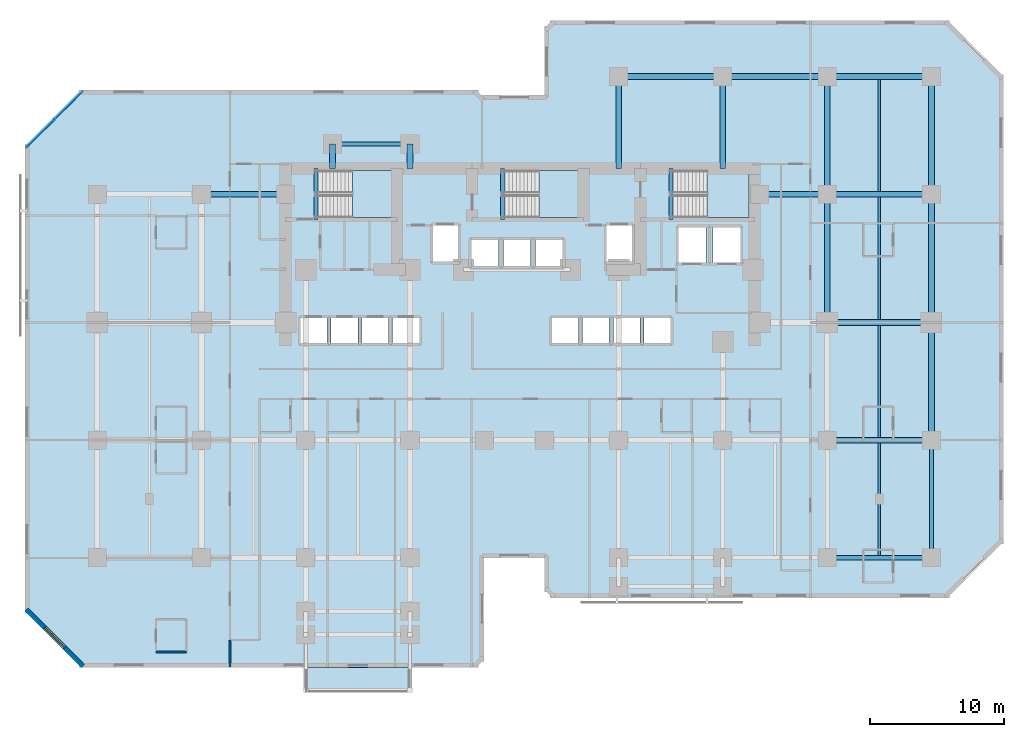
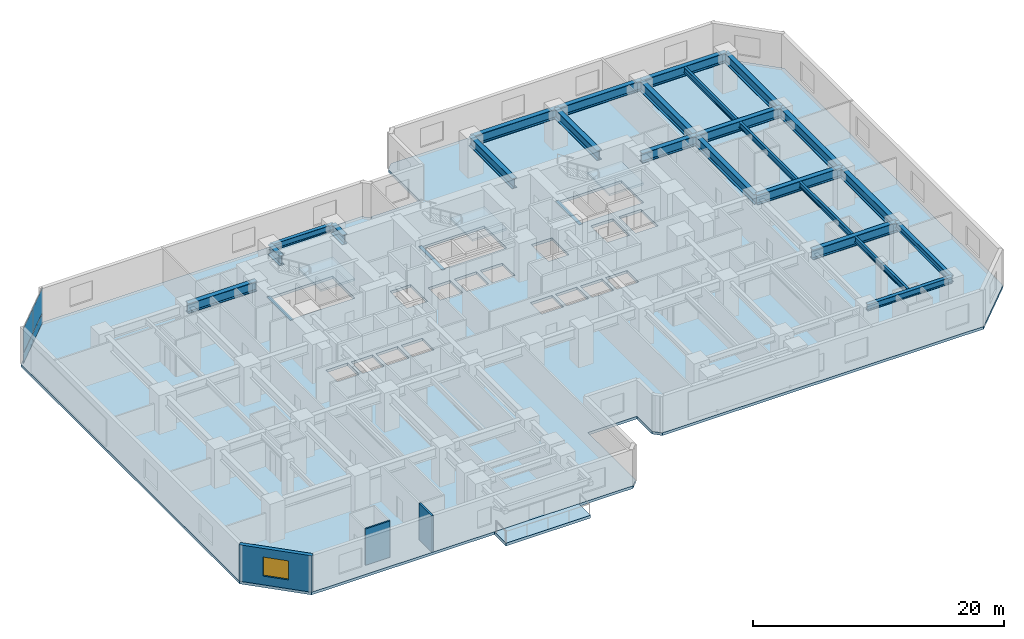
# One storey, part 4 of 12: 27 beams, 5 slabs, 4 plates, 3 walls, 1 window, 1 opening, 4 elements without a shape of their own.
"""IFC4 building model written with IfcOpenShell, lengths in metres."""

from ifc_helpers import new_model, si_unit, direction, frame, frame_2d, origin, origin_2d, place, context, subcontext, project, spatial, polyline, rectangle, i_section, outline, extrude, material, layer, layer_set, material_profile, profile_set, type_object, element, fill, aggregate, save


model = new_model("IFC4")

# Units and contexts
model_context = context("Model", 3, precision=1e-05, world=origin(), true_north=direction((0.0, 1.0)))
body_context = subcontext(model_context, "Body", "Model", "MODEL_VIEW")
ifc_project = project(units=[si_unit("LENGTHUNIT", "METRE"), si_unit("AREAUNIT", "SQUARE_METRE"), si_unit("VOLUMEUNIT", "CUBIC_METRE"), si_unit("PLANEANGLEUNIT", "RADIAN"), si_unit("MASSUNIT", "GRAM", prefix="KILO")], contexts=[model_context])

# Site, building, storey
site_placement = place(None, origin())
site = spatial("IfcSite", under=ifc_project, at=site_placement, CompositionType="ELEMENT")
building_placement = place(site_placement, origin())
building = spatial("IfcBuilding", under=site, at=building_placement, Name="Kestravale Grand Hotel", CompositionType="ELEMENT")
storey_placement = place(building_placement, frame((0.0, 0.0, 56.39990234375)))
storey = spatial("IfcBuildingStorey", under=building, at=storey_placement, Name="L13", CompositionType="ELEMENT", Elevation=56.39990234375)

# Beams
ifc_material_1 = material(Name="Steel ASTM A992 Grade 50", Category="steel")
ifc_material_profile_1 = material_profile(ifc_material_1, i_section(OverallWidth=0.2099609375, OverallDepth=0.535888671875, WebThickness=0.010986328125, FlangeThickness=0.017333984375, FilletRadius=0.017578125, at=origin_2d()))
ifc_profile_set_1 = profile_set([ifc_material_profile_1], Name="Steel ASTM A992 Grade 50")
beam_type_1 = type_object("IfcBeamType", Name="B-FLR-JST21", PredefinedType="JOIST", material=ifc_profile_set_1)
beam_1_placement = place(storey_placement, frame((66.300048828125, 11.362548828125, 3.272216796875), z_axis=(0.0, 1.0, 0.0), x_axis=(-1.0, 0.0, 0.0)))
element("IfcBeam", 1, at=beam_1_placement, inside=storey, type_object=beam_type_1, Name="L13 floor joist 10-11/C-D #1", PredefinedType="JOIST", context=body_context, shape_type="SweptSolid", body=[
    extrude(i_section(OverallWidth=0.2099609375, OverallDepth=0.535888671875, WebThickness=0.010986328125, FlangeThickness=0.017333984375, FilletRadius=0.017578125, at=origin_2d()), origin(), (0.0, 0.0, 1.0), 8.425537109375),
])
beam_2_placement = place(storey_placement, frame((66.300048828125, 20.2119140625, 3.272216796875), z_axis=(0.0, 1.0, 0.0), x_axis=(-1.0, 0.0, 0.0)))
element("IfcBeam", 2, at=beam_2_placement, inside=storey, type_object=beam_type_1, Name="L13 floor joist 10-11/D-E #1", PredefinedType="JOIST", context=body_context, shape_type="SweptSolid", body=[
    extrude(i_section(OverallWidth=0.2099609375, OverallDepth=0.535888671875, WebThickness=0.010986328125, FlangeThickness=0.017333984375, FilletRadius=0.017578125, at=origin_2d()), origin(), (0.0, 0.0, 1.0), 8.3759765625),
])
beam_3_placement = place(storey_placement, frame((66.300048828125, 29.011962890625, 3.272216796875), z_axis=(0.0, 1.0, 0.0), x_axis=(-1.0, 0.0, 0.0)))
element("IfcBeam", 3, at=beam_3_placement, inside=storey, type_object=beam_type_1, Name="L13 floor joist 10-11/E-F #1", PredefinedType="JOIST", context=body_context, shape_type="SweptSolid", body=[
    extrude(i_section(OverallWidth=0.2099609375, OverallDepth=0.535888671875, WebThickness=0.010986328125, FlangeThickness=0.017333984375, FilletRadius=0.017578125, at=origin_2d()), origin(), (0.0, 0.0, 1.0), 9.176025390625),
])
beam_4_placement = place(storey_placement, frame((66.300048828125, 38.612060546875, 3.272216796875), z_axis=(0.0, 1.0, 0.0), x_axis=(-1.0, 0.0, 0.0)))
element("IfcBeam", 4, at=beam_4_placement, inside=storey, type_object=beam_type_1, Name="L13 floor joist 10-11/F-G #1", PredefinedType="JOIST", context=body_context, shape_type="SweptSolid", body=[
    extrude(i_section(OverallWidth=0.2099609375, OverallDepth=0.535888671875, WebThickness=0.010986328125, FlangeThickness=0.017333984375, FilletRadius=0.017578125, at=origin_2d()), origin(), (0.0, 0.0, 1.0), 8.3759765625),
])
ifc_material_2 = material(Name="Concrete f'c 45 MPa", Category="concrete")
ifc_material_profile_2 = material_profile(ifc_material_2, rectangle(XDim=0.300048828125, YDim=0.39990234375, at=origin_2d()))
ifc_profile_set_2 = profile_set([ifc_material_profile_2], Name="Concrete f'c 45 MPa")
beam_type_2 = type_object("IfcBeamType", Name="B-FLR-LNT400", PredefinedType="LINTEL", material=ifc_profile_set_2)
for number, where, z_axis, x_axis, name in (
    (5, (24.159912109375, 36.52001953125, -0.199951171875), (0.0, 1.0, 0.0), (-1.0, 0.0, 0.0), "L13 ST1 flight bottom header beam"),
    (6, (38.110107421875, 36.52001953125, -0.199951171875), (0.0, 1.0, 0.0), (-1.0, 0.0, 0.0), "L13 ST2 flight bottom header beam"),
    (7, (50.7099609375, 36.52001953125, -0.199951171875), (0.0, 1.0, 0.0), (-1.0, 0.0, 0.0), "L13 ST3 flight bottom header beam"),
):
    element("IfcBeam", number, at=place(storey_placement, frame(where, z_axis=z_axis, x_axis=x_axis)), inside=storey, type_object=beam_type_2, Name=name, PredefinedType="LINTEL", context=body_context, shape_type="SweptSolid", body=[
        extrude(rectangle(XDim=0.300048828125, YDim=0.39990234375, at=origin_2d()), origin(), (0.0, 0.0, 1.0), 3.800048828125),
    ])
ifc_material_3 = material(Name="Steel ASTM A992 Grade 50", Category="steel")
ifc_material_profile_3 = material_profile(ifc_material_3, i_section(OverallWidth=0.324951171875, OverallDepth=0.612060546875, WebThickness=0.0126953125, FlangeThickness=0.01904296875, FilletRadius=0.018798828125, at=origin_2d()))
ifc_profile_set_3 = profile_set([ifc_material_profile_3], Name="Steel ASTM A992 Grade 50")
beam_type_3 = type_object("IfcBeamType", Name="B-FLR-W24A", PredefinedType="SPANDREL", material=ifc_profile_set_3)
beam_5_placement = place(storey_placement, frame((62.39990234375, 11.199951171875, 3.234130859375), z_axis=(1.0, 0.0, 0.0), x_axis=(0.0, 1.0, 0.0)))
element("IfcBeam", 8, at=beam_5_placement, inside=storey, type_object=beam_type_3, Name="L13 spandrel C:10-11", PredefinedType="SPANDREL", context=body_context, shape_type="SweptSolid", body=[
    extrude(i_section(OverallWidth=0.324951171875, OverallDepth=0.612060546875, WebThickness=0.0126953125, FlangeThickness=0.01904296875, FilletRadius=0.018798828125, at=origin_2d()), origin(), (0.0, 0.0, 1.0), 7.800048828125),
])
beam_6_placement = place(storey_placement, frame((25.39990234375, 42.14990234375, 3.234130859375), z_axis=(1.0, 0.0, 0.0), x_axis=(0.0, 1.0, 0.0)))
element("IfcBeam", 9, at=beam_6_placement, inside=storey, type_object=beam_type_3, Name="L13 perimeter tie spandrel FN:4-5", PredefinedType="SPANDREL", context=body_context, shape_type="SweptSolid", body=[
    extrude(i_section(OverallWidth=0.324951171875, OverallDepth=0.612060546875, WebThickness=0.0126953125, FlangeThickness=0.01904296875, FilletRadius=0.018798828125, at=origin_2d()), origin(), (0.0, 0.0, 1.0), 5.800048828125),
])
beam_7_placement = place(storey_placement, frame((70.199951171875, 11.199951171875, 3.234130859375), z_axis=(0.0, 1.0, 0.0), x_axis=(-1.0, 0.0, 0.0)))
element("IfcBeam", 10, at=beam_7_placement, inside=storey, type_object=beam_type_3, Name="L13 spandrel 11:C-D", PredefinedType="SPANDREL", context=body_context, shape_type="SweptSolid", body=[
    extrude(i_section(OverallWidth=0.324951171875, OverallDepth=0.612060546875, WebThickness=0.0126953125, FlangeThickness=0.01904296875, FilletRadius=0.018798828125, at=origin_2d()), origin(), (0.0, 0.0, 1.0), 8.800048828125),
])
ifc_material_4 = material(Name="Steel ASTM A992 Grade 50", Category="steel")
ifc_material_profile_4 = material_profile(ifc_material_4, i_section(OverallWidth=0.424072265625, OverallDepth=0.947021484375, WebThickness=0.02392578125, FlangeThickness=0.042724609375, FilletRadius=0.0283203125, at=origin_2d()))
ifc_profile_set_4 = profile_set([ifc_material_profile_4], Name="Steel ASTM A992 Grade 50")
beam_type_4 = type_object("IfcBeamType", Name="B-GRD-W36", PredefinedType="BEAM", material=ifc_profile_set_4)
for number, where, z_axis, x_axis, name in (
    (11, (62.39990234375, 20.0, 3.066650390625), (1.0, 0.0, 0.0), (0.0, 1.0, 0.0), "L13 girder D:10-11"),
    (12, (62.39990234375, 28.800048828125, 3.066650390625), (1.0, 0.0, 0.0), (0.0, 1.0, 0.0), "L13 girder E:10-11"),
):
    element("IfcBeam", number, at=place(storey_placement, frame(where, z_axis=z_axis, x_axis=x_axis)), inside=storey, type_object=beam_type_4, Name=name, PredefinedType="BEAM", context=body_context, shape_type="SweptSolid", body=[
        extrude(i_section(OverallWidth=0.424072265625, OverallDepth=0.947021484375, WebThickness=0.02392578125, FlangeThickness=0.042724609375, FilletRadius=0.0283203125, at=origin_2d()), origin(), (0.0, 0.0, 1.0), 7.800048828125),
    ])
beam_8_placement = place(storey_placement, frame((15.60009765625, 38.39990234375, 3.066650390625), z_axis=(1.0, 0.0, 0.0), x_axis=(0.0, 1.0, 0.0)))
element("IfcBeam", 13, at=beam_8_placement, inside=storey, type_object=beam_type_4, Name="L13 girder F:3-CW", PredefinedType="BEAM", context=body_context, shape_type="SweptSolid", body=[
    extrude(i_section(OverallWidth=0.424072265625, OverallDepth=0.947021484375, WebThickness=0.02392578125, FlangeThickness=0.042724609375, FilletRadius=0.0283203125, at=origin_2d()), origin(), (0.0, 0.0, 1.0), 6.2998046875),
])
beam_9_placement = place(storey_placement, frame((57.35009765625, 38.39990234375, 3.066650390625), z_axis=(1.0, 0.0, 0.0), x_axis=(0.0, 1.0, 0.0)))
element("IfcBeam", 14, at=beam_9_placement, inside=storey, type_object=beam_type_4, Name="L13 girder F:CE-10", PredefinedType="BEAM", context=body_context, shape_type="SweptSolid", body=[
    extrude(i_section(OverallWidth=0.424072265625, OverallDepth=0.947021484375, WebThickness=0.02392578125, FlangeThickness=0.042724609375, FilletRadius=0.0283203125, at=origin_2d()), origin(), (0.0, 0.0, 1.0), 5.0498046875),
])
for number, where, z_axis, x_axis, name in (
    (15, (62.39990234375, 38.39990234375, 3.066650390625), (1.0, 0.0, 0.0), (0.0, 1.0, 0.0), "L13 girder F:10-11"),
    (16, (46.800048828125, 47.199951171875, 3.066650390625), (1.0, 0.0, 0.0), (0.0, 1.0, 0.0), "L13 girder G:8-9"),
):
    element("IfcBeam", number, at=place(storey_placement, frame(where, z_axis=z_axis, x_axis=x_axis)), inside=storey, type_object=beam_type_4, Name=name, PredefinedType="BEAM", context=body_context, shape_type="SweptSolid", body=[
        extrude(i_section(OverallWidth=0.424072265625, OverallDepth=0.947021484375, WebThickness=0.02392578125, FlangeThickness=0.042724609375, FilletRadius=0.0283203125, at=origin_2d()), origin(), (0.0, 0.0, 1.0), 7.800048828125),
    ])
beam_10_placement = place(storey_placement, frame((54.60009765625, 47.199951171875, 3.066650390625), z_axis=(1.0, 0.0, 0.0), x_axis=(0.0, 1.0, 0.0)))
element("IfcBeam", 17, at=beam_10_placement, inside=storey, type_object=beam_type_4, Name="L13 girder G:9-10", PredefinedType="BEAM", context=body_context, shape_type="SweptSolid", body=[
    extrude(i_section(OverallWidth=0.424072265625, OverallDepth=0.947021484375, WebThickness=0.02392578125, FlangeThickness=0.042724609375, FilletRadius=0.0283203125, at=origin_2d()), origin(), (0.0, 0.0, 1.0), 7.7998046875),
])
beam_11_placement = place(storey_placement, frame((62.39990234375, 47.199951171875, 3.066650390625), z_axis=(1.0, 0.0, 0.0), x_axis=(0.0, 1.0, 0.0)))
element("IfcBeam", 18, at=beam_11_placement, inside=storey, type_object=beam_type_4, Name="L13 girder G:10-11", PredefinedType="BEAM", context=body_context, shape_type="SweptSolid", body=[
    extrude(i_section(OverallWidth=0.424072265625, OverallDepth=0.947021484375, WebThickness=0.02392578125, FlangeThickness=0.042724609375, FilletRadius=0.0283203125, at=origin_2d()), origin(), (0.0, 0.0, 1.0), 7.800048828125),
])
beam_12_placement = place(storey_placement, frame((62.39990234375, 28.800048828125, 3.066650390625), z_axis=(0.0, 1.0, 0.0), x_axis=(-1.0, 0.0, 0.0)))
element("IfcBeam", 19, at=beam_12_placement, inside=storey, type_object=beam_type_4, Name="L13 girder 10:E-F", PredefinedType="BEAM", context=body_context, shape_type="SweptSolid", body=[
    extrude(i_section(OverallWidth=0.424072265625, OverallDepth=0.947021484375, WebThickness=0.02392578125, FlangeThickness=0.042724609375, FilletRadius=0.0283203125, at=origin_2d()), origin(), (0.0, 0.0, 1.0), 9.599853515625),
])
for number, where, z_axis, x_axis, name in (
    (20, (62.39990234375, 38.39990234375, 3.066650390625), (0.0, 1.0, 0.0), (-1.0, 0.0, 0.0), "L13 girder 10:F-G"),
    (21, (70.199951171875, 20.0, 3.066650390625), (0.0, 1.0, 0.0), (-1.0, 0.0, 0.0), "L13 girder 11:D-E"),
):
    element("IfcBeam", number, at=place(storey_placement, frame(where, z_axis=z_axis, x_axis=x_axis)), inside=storey, type_object=beam_type_4, Name=name, PredefinedType="BEAM", context=body_context, shape_type="SweptSolid", body=[
        extrude(i_section(OverallWidth=0.424072265625, OverallDepth=0.947021484375, WebThickness=0.02392578125, FlangeThickness=0.042724609375, FilletRadius=0.0283203125, at=origin_2d()), origin(), (0.0, 0.0, 1.0), 8.800048828125),
    ])
beam_13_placement = place(storey_placement, frame((70.199951171875, 28.800048828125, 3.066650390625), z_axis=(0.0, 1.0, 0.0), x_axis=(-1.0, 0.0, 0.0)))
element("IfcBeam", 22, at=beam_13_placement, inside=storey, type_object=beam_type_4, Name="L13 girder 11:E-F", PredefinedType="BEAM", context=body_context, shape_type="SweptSolid", body=[
    extrude(i_section(OverallWidth=0.424072265625, OverallDepth=0.947021484375, WebThickness=0.02392578125, FlangeThickness=0.042724609375, FilletRadius=0.0283203125, at=origin_2d()), origin(), (0.0, 0.0, 1.0), 9.599853515625),
])
beam_14_placement = place(storey_placement, frame((70.199951171875, 38.39990234375, 3.066650390625), z_axis=(0.0, 1.0, 0.0), x_axis=(-1.0, 0.0, 0.0)))
element("IfcBeam", 23, at=beam_14_placement, inside=storey, type_object=beam_type_4, Name="L13 girder 11:F-G", PredefinedType="BEAM", context=body_context, shape_type="SweptSolid", body=[
    extrude(i_section(OverallWidth=0.424072265625, OverallDepth=0.947021484375, WebThickness=0.02392578125, FlangeThickness=0.042724609375, FilletRadius=0.0283203125, at=origin_2d()), origin(), (0.0, 0.0, 1.0), 8.800048828125),
])
for number, where, z_axis, x_axis, name in (
    (24, (25.39990234375, 40.320068359375, 3.066650390625), (0.0, 1.0, 0.0), (-1.0, 0.0, 0.0), "L13 north wing tie girder 4:CN-FN"),
    (25, (31.199951171875, 40.320068359375, 3.066650390625), (0.0, 1.0, 0.0), (-1.0, 0.0, 0.0), "L13 north wing tie girder 5:CN-FN"),
):
    element("IfcBeam", number, at=place(storey_placement, frame(where, z_axis=z_axis, x_axis=x_axis)), inside=storey, type_object=beam_type_4, Name=name, PredefinedType="BEAM", context=body_context, shape_type="SweptSolid", body=[
        extrude(i_section(OverallWidth=0.424072265625, OverallDepth=0.947021484375, WebThickness=0.02392578125, FlangeThickness=0.042724609375, FilletRadius=0.0283203125, at=origin_2d()), origin(), (0.0, 0.0, 1.0), 1.829833984375),
    ])
for number, where, z_axis, x_axis, name in (
    (26, (46.800048828125, 40.320068359375, 3.066650390625), (0.0, 1.0, 0.0), (-1.0, 0.0, 0.0), "L13 north wing tie girder 8:CN-G"),
    (27, (54.60009765625, 40.320068359375, 3.066650390625), (0.0, 1.0, 0.0), (-1.0, 0.0, 0.0), "L13 north wing tie girder 9:CN-G"),
):
    element("IfcBeam", number, at=place(storey_placement, frame(where, z_axis=z_axis, x_axis=x_axis)), inside=storey, type_object=beam_type_4, Name=name, PredefinedType="BEAM", context=body_context, shape_type="SweptSolid", body=[
        extrude(i_section(OverallWidth=0.424072265625, OverallDepth=0.947021484375, WebThickness=0.02392578125, FlangeThickness=0.042724609375, FilletRadius=0.0283203125, at=origin_2d()), origin(), (0.0, 0.0, 1.0), 6.8798828125),
    ])

# Curtain wall, plates
ifc_material_5 = material(Name="Thermally broken champagne-bronze aluminium and low-E glazing", Category="aluminium")
ifc_layer_1 = layer(ifc_material_5, 0.199951171875)
ifc_layer_set_1 = layer_set([ifc_layer_1], Name="CW-Z1")
curtain_wall_type = type_object("IfcCurtainWallType", Name="CW-Z1", PredefinedType="NOTDEFINED", material=ifc_layer_set_1)
curtain_wall_placement = place(storey_placement, origin())
curtain_wall = element("IfcCurtainWall", 28, at=curtain_wall_placement, inside=storey, type_object=curtain_wall_type, Name="L13 unitised curtain wall 18", PredefinedType="NOTDEFINED")
ifc_material_6 = material(Name="Insulated clear low-E double glazing IGU", Category="glass")
ifc_layer_2 = layer(ifc_material_6, 0.035888671875)
ifc_layer_set_2 = layer_set([ifc_layer_2], Name="CW-PNL-36")
plate_type = type_object("IfcPlateType", Name="CW-PNL-36", PredefinedType="CURTAIN_PANEL", material=ifc_layer_set_2)
plate_1_placement = place(storey_placement, frame((5.6640625, 45.023681640625, 0.0751953125), z_axis=(0.0, 0.0, 1.0), x_axis=(-0.707106781187, -0.707106781187, 0.0)))
plate_1 = element("IfcPlate", 29, at=plate_1_placement, type_object=plate_type, Name="CW-Z1 panel 1.1", PredefinedType="CURTAIN_PANEL", context=body_context, shape_type="SweptSolid", body=[
    extrude(rectangle(XDim=2.87744140625, YDim=0.035888671875, at=origin_2d()), origin(), (0.0, 0.0, 1.0), 0.9375),
])
plate_2_placement = place(storey_placement, frame((5.6640625, 45.023681640625, 1.087646484375), z_axis=(0.0, 0.0, 1.0), x_axis=(-0.707106781187, -0.707106781187, 0.0)))
plate_2 = element("IfcPlate", 30, at=plate_2_placement, type_object=plate_type, Name="CW-Z1 panel 1.2", PredefinedType="CURTAIN_PANEL", context=body_context, shape_type="SweptSolid", body=[
    extrude(rectangle(XDim=2.87744140625, YDim=0.035888671875, at=origin_2d()), origin(), (0.0, 0.0, 1.0), 2.37744140625),
])
plate_3_placement = place(storey_placement, frame((3.576416015625, 42.93603515625, 0.0751953125), z_axis=(0.0, 0.0, 1.0), x_axis=(-0.707106781187, -0.707106781187, 0.0)))
plate_3 = element("IfcPlate", 31, at=plate_3_placement, type_object=plate_type, Name="CW-Z1 panel 2.1", PredefinedType="CURTAIN_PANEL", context=body_context, shape_type="SweptSolid", body=[
    extrude(rectangle(XDim=2.87744140625, YDim=0.035888671875, at=origin_2d()), origin(), (0.0, 0.0, 1.0), 0.9375),
])
plate_4_placement = place(storey_placement, frame((3.576416015625, 42.93603515625, 1.087646484375), z_axis=(0.0, 0.0, 1.0), x_axis=(-0.707106781187, -0.707106781187, 0.0)))
plate_4 = element("IfcPlate", 32, at=plate_4_placement, type_object=plate_type, Name="CW-Z1 panel 2.2", PredefinedType="CURTAIN_PANEL", context=body_context, shape_type="SweptSolid", body=[
    extrude(rectangle(XDim=2.87744140625, YDim=0.035888671875, at=origin_2d()), origin(), (0.0, 0.0, 1.0), 2.37744140625),
])
aggregate(curtain_wall, [plate_1, plate_2, plate_3, plate_4])

# Slab
ifc_material_7 = material(Name="Concrete f'c 45 MPa", Category="concrete")
ifc_layer_3 = layer(ifc_material_7, 0.27001953125)
ifc_layer_set_3 = layer_set([ifc_layer_3], Name="ES-TERR-270")
slab_type_1 = type_object("IfcSlabType", Name="ES-TERR-270", PredefinedType="FLOOR", material=ifc_layer_set_3)
slab_1_placement = place(storey_placement, frame((0.0, 0.0, -0.27001953125)))
element("IfcSlab", 33, at=slab_1_placement, inside=storey, type_object=slab_type_1, Name="L13 spiralling planted garden terrace", PredefinedType="FLOOR", context=body_context, shape_type="SweptSolid", body=[
    extrude(outline(polyline([(23.39990234375, 1.14990234375), (31.199951171875, 1.14990234375), (31.199951171875, 3.0), (23.39990234375, 3.0), (23.39990234375, 1.14990234375)])), origin(), (0.0, 0.0, 1.0), 0.27001953125),
])

# Stair, slab
ifc_material_8 = material(Name="Concrete f'c 45 MPa", Category="concrete")
stair_type = type_object("IfcStairType", Name="ST-CORE-380", PredefinedType="HALF_TURN_STAIR", material=ifc_material_8)
stair_1_placement = place(storey_placement, origin())
stair_1 = element("IfcStair", 34, at=stair_1_placement, inside=storey, type_object=stair_type, Name="L13 ST-1", PredefinedType="HALF_TURN_STAIR")
ifc_material_9 = material(Name="Concrete f'c 45 MPa", Category="concrete")
ifc_layer_4 = layer(ifc_material_9, 0.199951171875)
ifc_layer_set_4 = layer_set([ifc_layer_4], Name="SLB-ST-LND200")
slab_type_2 = type_object("IfcSlabType", Name="SLB-ST-LND200", PredefinedType="LANDING", material=ifc_layer_set_4)
slab_2_placement = place(storey_placement, frame((0.0, 0.0, 1.7001953125)))
slab_2 = element("IfcSlab", 35, at=slab_2_placement, type_object=slab_type_2, Name="ST-1 landing 1", PredefinedType="LANDING", context=body_context, shape_type="SweptSolid", body=[
    extrude(outline(polyline([(26.8798828125, 36.64990234375), (30.0, 36.64990234375), (30.0, 40.159912109375), (26.8798828125, 40.159912109375), (26.8798828125, 36.64990234375)])), origin(), (0.0, 0.0, 1.0), 0.199951171875),
])
aggregate(stair_1, [slab_2])

stair_2_placement = place(storey_placement, origin())
stair_2 = element("IfcStair", 36, at=stair_2_placement, inside=storey, type_object=stair_type, Name="L13 ST-2", PredefinedType="HALF_TURN_STAIR")
slab_3_placement = place(storey_placement, frame((0.0, 0.0, 1.7001953125)))
slab_3 = element("IfcSlab", 37, at=slab_3_placement, type_object=slab_type_2, Name="ST-2 landing 1", PredefinedType="LANDING", context=body_context, shape_type="SweptSolid", body=[
    extrude(outline(polyline([(40.830078125, 36.64990234375), (43.949951171875, 36.64990234375), (43.949951171875, 40.159912109375), (40.830078125, 40.159912109375), (40.830078125, 36.64990234375)])), origin(), (0.0, 0.0, 1.0), 0.199951171875),
])
aggregate(stair_2, [slab_3])

stair_3_placement = place(storey_placement, origin())
stair_3 = element("IfcStair", 38, at=stair_3_placement, inside=storey, type_object=stair_type, Name="L13 ST-3", PredefinedType="HALF_TURN_STAIR")
slab_4_placement = place(storey_placement, frame((0.0, 0.0, 1.7001953125)))
slab_4 = element("IfcSlab", 39, at=slab_4_placement, type_object=slab_type_2, Name="ST-3 landing 1", PredefinedType="LANDING", context=body_context, shape_type="SweptSolid", body=[
    extrude(outline(polyline([(53.429931640625, 36.64990234375), (56.550048828125, 36.64990234375), (56.550048828125, 40.159912109375), (53.429931640625, 40.159912109375), (53.429931640625, 36.64990234375)])), origin(), (0.0, 0.0, 1.0), 0.199951171875),
])
aggregate(stair_3, [slab_4])

# Slab
ifc_material_10 = material(Name="Concrete f'c 45 MPa", Category="concrete")
ifc_layer_5 = layer(ifc_material_10, 0.260009765625)
ifc_layer_set_5 = layer_set([ifc_layer_5], Name="SS-FLR-260")
slab_type_3 = type_object("IfcSlabType", Name="SS-FLR-260", PredefinedType="FLOOR", material=ifc_layer_set_5)
slab_5_placement = place(storey_placement, frame((0.0, 0.0, -0.260009765625)))
element("IfcSlab", 40, at=slab_5_placement, inside=storey, type_object=slab_type_3, Name="L13 structural floor slab", PredefinedType="FLOOR", context=body_context, shape_type="SweptSolid", body=[
    extrude(outline(polyline([(6.60009765625, 3.0), (36.14990234375, 3.0), (36.75, 3.60009765625), (36.75, 11.199951171875), (41.25, 11.199951171875), (41.25, 8.800048828125), (41.85009765625, 8.199951171875), (71.39990234375, 8.199951171875), (75.60009765625, 12.39990234375), (75.60009765625, 47.199951171875), (71.39990234375, 51.39990234375), (41.85009765625, 51.39990234375), (41.25, 50.800048828125), (41.25, 45.800048828125), (36.75, 45.800048828125), (36.75, 45.60009765625), (36.14990234375, 46.199951171875), (6.60009765625, 46.199951171875), (2.39990234375, 42.0), (2.39990234375, 7.199951171875), (6.60009765625, 3.0)]), holes=[polyline([(24.080078125, 36.64990234375), (30.0, 36.64990234375), (30.0, 40.159912109375), (24.080078125, 40.159912109375), (24.080078125, 36.64990234375)]), polyline([(38.030029296875, 36.64990234375), (43.949951171875, 36.64990234375), (43.949951171875, 40.159912109375), (38.030029296875, 40.159912109375), (38.030029296875, 36.64990234375)]), polyline([(50.6298828125, 36.64990234375), (56.550048828125, 36.64990234375), (56.550048828125, 40.159912109375), (50.6298828125, 40.159912109375), (50.6298828125, 36.64990234375)]), polyline([(23.0048828125, 27.280029296875), (24.9951171875, 27.280029296875), (24.9951171875, 29.1201171875), (23.0048828125, 29.1201171875), (23.0048828125, 27.280029296875)]), polyline([(25.304931640625, 27.280029296875), (27.294921875, 27.280029296875), (27.294921875, 29.1201171875), (25.304931640625, 29.1201171875), (25.304931640625, 27.280029296875)]), polyline([(27.60498046875, 27.280029296875), (29.594970703125, 27.280029296875), (29.594970703125, 29.1201171875), (27.60498046875, 29.1201171875), (27.60498046875, 27.280029296875)]), polyline([(29.905029296875, 27.280029296875), (31.89501953125, 27.280029296875), (31.89501953125, 29.1201171875), (29.905029296875, 29.1201171875), (29.905029296875, 27.280029296875)]), polyline([(41.804931640625, 27.280029296875), (43.794921875, 27.280029296875), (43.794921875, 29.1201171875), (41.804931640625, 29.1201171875), (41.804931640625, 27.280029296875)]), polyline([(44.10498046875, 27.280029296875), (46.094970703125, 27.280029296875), (46.094970703125, 29.1201171875), (44.10498046875, 29.1201171875), (44.10498046875, 27.280029296875)]), polyline([(46.405029296875, 27.280029296875), (48.39501953125, 27.280029296875), (48.39501953125, 29.1201171875), (46.405029296875, 29.1201171875), (46.405029296875, 27.280029296875)]), polyline([(48.705078125, 27.280029296875), (50.695068359375, 27.280029296875), (50.695068359375, 29.1201171875), (48.705078125, 29.1201171875), (48.705078125, 27.280029296875)]), polyline([(35.780029296875, 33.030029296875), (37.820068359375, 33.030029296875), (37.820068359375, 34.969970703125), (35.780029296875, 34.969970703125), (35.780029296875, 33.030029296875)]), polyline([(38.179931640625, 33.030029296875), (40.219970703125, 33.030029296875), (40.219970703125, 34.969970703125), (38.179931640625, 34.969970703125), (38.179931640625, 33.030029296875)]), polyline([(40.580078125, 33.030029296875), (42.6201171875, 33.030029296875), (42.6201171875, 34.969970703125), (40.580078125, 34.969970703125), (40.580078125, 33.030029296875)]), polyline([(32.905029296875, 33.35498046875), (34.794921875, 33.35498046875), (34.794921875, 36.044921875), (32.905029296875, 36.044921875), (32.905029296875, 33.35498046875)]), polyline([(45.905029296875, 33.35498046875), (47.794921875, 33.35498046875), (47.794921875, 36.044921875), (45.905029296875, 36.044921875), (45.905029296875, 33.35498046875)]), polyline([(51.280029296875, 33.280029296875), (53.320068359375, 33.280029296875), (53.320068359375, 35.919921875), (51.280029296875, 35.919921875), (51.280029296875, 33.280029296875)]), polyline([(53.8798828125, 33.280029296875), (55.919921875, 33.280029296875), (55.919921875, 35.919921875), (53.8798828125, 35.919921875), (53.8798828125, 33.280029296875)])]), origin(), (0.0, 0.0, 1.0), 0.260009765625),
])

# Wall, opening, window
ifc_material_11 = material(Name="Precast concrete f'c 45 MPa", Category="concrete")
ifc_layer_6 = layer(ifc_material_11, 0.340087890625)
ifc_layer_set_6 = layer_set([ifc_layer_6], Name="EW-PREC-340")
wall_type_1 = type_object("IfcWallType", Name="EW-PREC-340", PredefinedType="SOLIDWALL", material=ifc_layer_set_6)
wall_1_placement = place(storey_placement, frame((2.491943359375, 7.348388671875, 0.0), z_axis=(0.0, 0.0, 1.0), x_axis=(0.707106781187, -0.707106781187, 0.0)))
wall_1 = element("IfcWall", 41, at=wall_1_placement, inside=storey, type_object=wall_type_1, Name="L13 fluted precast facade wall 20", PredefinedType="SOLIDWALL", context=body_context, shape_type="SweptSolid", body=[
    extrude(rectangle(XDim=6.019775390625, YDim=0.340087890625, at=frame_2d((3.009765625, 0.0))), origin(), (0.0, 0.0, 1.0), 3.5400390625),
])
opening_placement = place(wall_1_placement, frame((1.9599609375, 0.0, 0.85009765625)))
opening = element("IfcOpeningElement", 42, at=opening_placement, cuts=wall_1, Name="Opening W-GUEST-2100", PredefinedType="OPENING", context=body_context, shape_type="SweptSolid", body=[
    extrude(rectangle(XDim=2.10009765625, YDim=1.85009765625, at=frame_2d((1.050048828125, 0.925048828125))), frame((0.0, 0.179931640625, 0.0), z_axis=(0.0, -1.0, 0.0), x_axis=(1.0, 0.0, 0.0)), (0.0, 0.0, 1.0), 0.360107421875),
])
ifc_material_12 = material(Name="Insulated low-E double glazing in aluminium frame", Category="aluminium")
window_type = type_object("IfcWindowType", Name="W-GUEST-2100", PartitioningType="DOUBLE_PANEL_VERTICAL", PredefinedType="WINDOW", material=ifc_material_12)
window_placement = place(opening_placement, origin())
window = element("IfcWindow", 43, at=window_placement, inside=storey, type_object=window_type, Name="L13 exterior window 20.1", OverallHeight=1.85009765625, OverallWidth=2.10009765625, PartitioningType="SINGLE_PANEL", PredefinedType="WINDOW", context=body_context, shape_type="SweptSolid", body=[
    extrude(rectangle(XDim=2.10009765625, YDim=1.85009765625, at=frame_2d((1.050048828125, 0.925048828125))), frame((0.0, 0.030029296875, 0.0), z_axis=(0.0, -1.0, 0.0), x_axis=(1.0, 0.0, 0.0)), (0.0, 0.0, 1.0), 0.06005859375),
])
fill(opening, window)

# Walls
ifc_material_13 = material(Name="Moisture-resistant tile-backer plumbing chase wall", Category="other")
ifc_layer_7 = layer(ifc_material_13, 0.139892578125)
ifc_layer_set_7 = layer_set([ifc_layer_7], Name="IW-PLB-140")
wall_type_2 = type_object("IfcWallType", Name="IW-PLB-140", PredefinedType="PLUMBINGWALL", material=ifc_layer_set_7)
wall_2_placement = place(storey_placement, frame((12.199951171875, 4.14990234375, 0.0), z_axis=(0.0, 0.0, 1.0), x_axis=(1.0, 0.0, 0.0)))
element("IfcWall", 44, at=wall_2_placement, inside=storey, type_object=wall_type_2, Name="W-L13-U05-BS", PredefinedType="PLUMBINGWALL", context=body_context, shape_type="SweptSolid", body=[
    extrude(rectangle(XDim=2.25, YDim=0.139892578125, at=frame_2d((1.125, 0.0))), origin(), (0.0, 0.0, 1.0), 3.5400390625),
])
ifc_material_14 = material(Name="Double-stud STC 52 acoustic demising partition", Category="other")
ifc_layer_8 = layer(ifc_material_14, 0.14990234375)
ifc_layer_set_8 = layer_set([ifc_layer_8], Name="IW-UNIT-150")
wall_type_3 = type_object("IfcWallType", Name="IW-UNIT-150", PredefinedType="PARTITIONING", material=ifc_layer_set_8)
wall_3_placement = place(storey_placement, frame((17.739990234375, 3.02001953125, 0.0), z_axis=(0.0, 0.0, 1.0), x_axis=(0.0, 1.0, 0.0)))
element("IfcWall", 45, at=wall_3_placement, inside=storey, type_object=wall_type_3, Name="W-L13-SW-EXT", PredefinedType="PARTITIONING", context=body_context, shape_type="SweptSolid", body=[
    extrude(rectangle(XDim=2.030029296875, YDim=0.14990234375, at=frame_2d((1.01513671875, 0.0))), origin(), (0.0, 0.0, 1.0), 3.5400390625),
])

save(model, "model.ifc")
